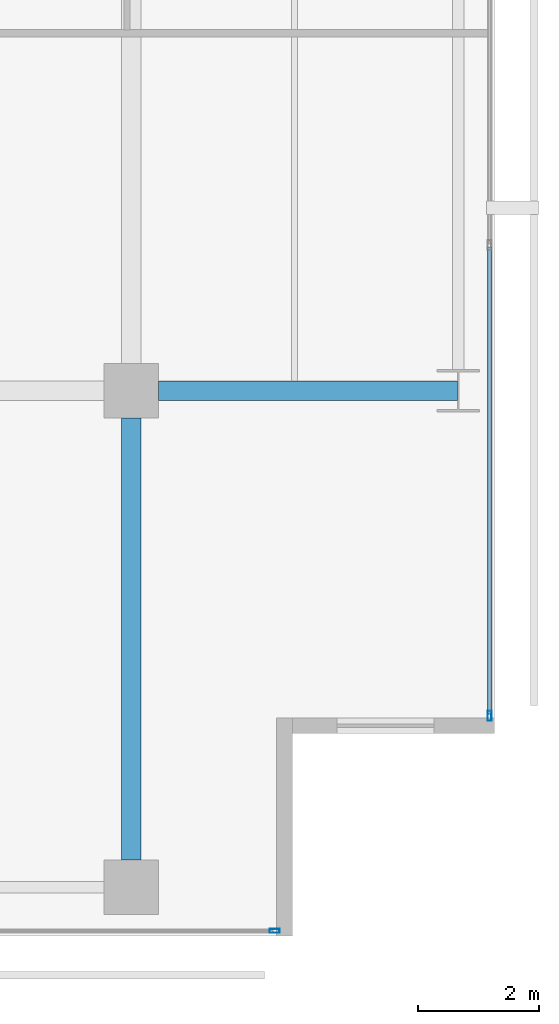
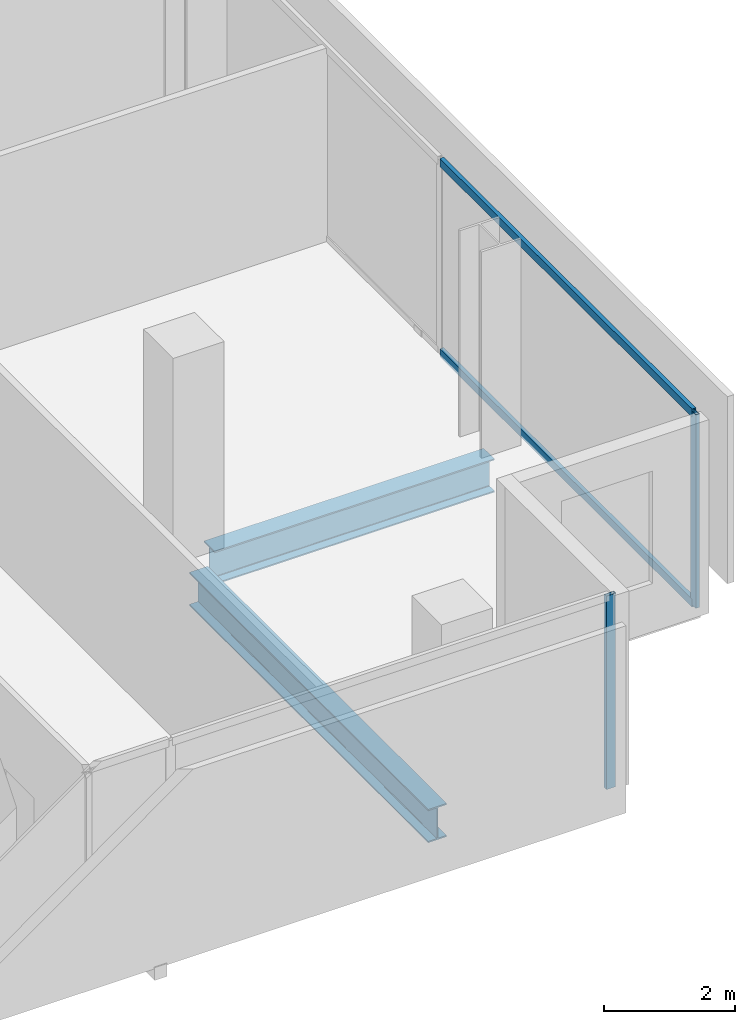
# One storey, part 16 of 40: 4 members, 2 beams, 2 elements without a shape of their own.
"""IFC4 building model written with IfcOpenShell, lengths in metres."""

import ifcopenshell
import ifcopenshell.guid

model = None  # the IFC model being written
_history = None  # IfcOwnerHistory: only IFC2X3 demands one
_inside = {}  # id of a spatial element -> (the spatial element, [elements in it])
_under = {}  # id of a project, library or spatial element -> (it, [spatial elements below it])
_declared = {}  # id of a project -> (the project, [libraries it declares])
_typed = {}  # id of a type object -> (the type object, [elements of that type])
_made_of = {}  # id of a material, layer set ... -> (it, [elements and type objects made of it])


def new_model(schema):
    """Start an empty IFC model of exactly this schema.

    Asked for "IFC4X3", IfcOpenShell would pick the latest addendum, in which some entities
    have other attributes; the version numbers below select the first issue.
    IFC2X3 requires an IfcOwnerHistory on every rooted entity: one is made here for all.
    """
    global model, _history
    if schema == "IFC4X3":
        model = ifcopenshell.file(schema_version=(4, 3, 0, 0))
    else:
        model = ifcopenshell.file(schema=schema)
    _inside.clear()
    _under.clear()
    _declared.clear()
    _typed.clear()
    _made_of.clear()
    _history = None
    if model.schema == "IFC2X3":
        org = make("IfcOrganization", Name="unknown")
        user = make(
            "IfcPersonAndOrganization",
            ThePerson=make("IfcPerson", FamilyName="unknown"),
            TheOrganization=org,
        )
        app = make(
            "IfcApplication",
            ApplicationDeveloper=org,
            Version="unknown",
            ApplicationFullName="unknown",
            ApplicationIdentifier="unknown",
        )
        _history = make(
            "IfcOwnerHistory",
            OwningUser=user,
            OwningApplication=app,
            ChangeAction="ADDED",
            CreationDate=0,
        )
    return model


def make(cls, **values):
    """One entity of the class cls with the attributes given. An attribute that is None is left unset."""
    return model.create_entity(
        cls, **{name: value for name, value in values.items() if value is not None}
    )


def rooted(cls, **values):
    """An entity with a GlobalId (a new one), such as an element, a storey or a relation."""
    return make(cls, GlobalId=ifcopenshell.guid.new(), OwnerHistory=_history, **values)


def si_unit(unit_type, name, prefix=None):
    """IfcSIUnit, for example si_unit("LENGTHUNIT", "METRE", prefix="MILLI")."""
    return make("IfcSIUnit", UnitType=unit_type, Prefix=prefix, Name=name)


def assignment(units):
    """IfcUnitAssignment: the units of a project."""
    return None if units is None else make("IfcUnitAssignment", Units=units)


def point(xyz):
    """IfcCartesianPoint."""
    return None if xyz is None else make("IfcCartesianPoint", Coordinates=xyz)


def direction(xyz):
    """IfcDirection."""
    return None if xyz is None else make("IfcDirection", DirectionRatios=xyz)


def frame(location, z_axis=None, x_axis=None):
    """IfcAxis2Placement3D, a coordinate frame: its origin and axes. An axis left out is left unset."""
    return make(
        "IfcAxis2Placement3D",
        Location=point(location),
        Axis=direction(z_axis),
        RefDirection=direction(x_axis),
    )


def frame_2d(location, x_axis=None):
    """IfcAxis2Placement2D, a coordinate frame in the plane: its origin and x axis."""
    return make(
        "IfcAxis2Placement2D", Location=point(location), RefDirection=direction(x_axis)
    )


def origin():
    """The frame at (0, 0, 0) with its axes left unset."""
    return frame((0.0, 0.0, 0.0))


def origin_2d():
    """The frame at (0, 0) in the plane with its x axis left unset."""
    return frame_2d((0.0, 0.0))


def place(relative_to, where):
    """IfcLocalPlacement: puts the frame where relative to a parent placement (None: the world)."""
    return make(
        "IfcLocalPlacement", PlacementRelTo=relative_to, RelativePlacement=where
    )


def context(
    kind, dimensions, precision=None, world=None, true_north=None, identifier=None
):
    """IfcGeometricRepresentationContext, for example the 3D "Model" context."""
    return make(
        "IfcGeometricRepresentationContext",
        ContextIdentifier=identifier,
        ContextType=kind,
        CoordinateSpaceDimension=dimensions,
        Precision=precision,
        WorldCoordinateSystem=world,
        TrueNorth=true_north,
    )


def subcontext(parent, identifier, kind, view, scale=None):
    """IfcGeometricRepresentationSubContext, for example "Body" below "Model"."""
    return make(
        "IfcGeometricRepresentationSubContext",
        ContextIdentifier=identifier,
        ContextType=kind,
        ParentContext=parent,
        TargetScale=scale,
        TargetView=view,
    )


def project(units=None, contexts=None):
    """IfcProject with its units and contexts."""
    return rooted(
        "IfcProject",
        Name="project",
        RepresentationContexts=contexts,
        UnitsInContext=assignment(units),
    )


def spatial(cls, under=None, at=None, **own):
    """A site, building, storey or space (cls), placed at a placement, below another one or the project."""
    s = rooted(cls, ObjectPlacement=at, **own)
    if under is not None:
        _under.setdefault(under.id(), (under, []))[1].append(s)
    return s


def profile(cls, at=None, kind="AREA", **sizes):
    """A parametric profile (cls). Its sizes go by their IFC names, for example OverallWidth=200.0."""
    return make(cls, ProfileType=kind, Position=at, **sizes)


def hollow_rectangle(**sizes):
    """IfcRectangleHollowProfileDef."""
    return profile("IfcRectangleHollowProfileDef", **sizes)


def i_section(**sizes):
    """IfcIShapeProfileDef."""
    return profile("IfcIShapeProfileDef", **sizes)


def extrude(swept, where, along, depth):
    """IfcExtrudedAreaSolid: the profile swept, set in the frame where, extruded along a direction by depth."""
    return make(
        "IfcExtrudedAreaSolid",
        SweptArea=swept,
        Position=where,
        ExtrudedDirection=direction(along),
        Depth=depth,
    )


def shape(context_of_items, identifier, shape_type, items):
    """IfcShapeRepresentation: the items that make up one representation, for example the "Body"."""
    return make(
        "IfcShapeRepresentation",
        ContextOfItems=context_of_items,
        RepresentationIdentifier=identifier,
        RepresentationType=shape_type,
        Items=items,
    )


def material(Name=None, Category=None):
    """IfcMaterial."""
    return make("IfcMaterial", Name=Name, Category=Category)


def layer(
    of_material, thickness, ventilated=None, Name=None, Category=None, Priority=None
):
    """IfcMaterialLayer: one layer of a wall or slab, of a material (None: an air gap)."""
    return make(
        "IfcMaterialLayer",
        Material=of_material,
        LayerThickness=thickness,
        IsVentilated=ventilated,
        Name=Name,
        Category=Category,
        Priority=Priority,
    )


def layer_set(layers, Name=None):
    """IfcMaterialLayerSet."""
    return make("IfcMaterialLayerSet", MaterialLayers=layers, LayerSetName=Name)


def material_profile(
    of_material, cross_section, Name=None, Category=None, Priority=None
):
    """IfcMaterialProfile: a cross section and its material."""
    return make(
        "IfcMaterialProfile",
        Name=Name,
        Material=of_material,
        Profile=cross_section,
        Priority=Priority,
        Category=Category,
    )


def profile_set(profiles, Name=None, composite=None):
    """IfcMaterialProfileSet."""
    return make(
        "IfcMaterialProfileSet",
        Name=Name,
        MaterialProfiles=profiles,
        CompositeProfile=composite,
    )


def made_of(thing, what):
    """Note that an element or type object is made of a material, layer set ...; save() writes the relation."""
    if what is not None:
        _made_of.setdefault(what.id(), (what, []))[1].append(thing)
    return thing


def type_object(cls, material=None, **own):
    """A type object (cls), such as IfcWallType, which elements share."""
    return made_of(rooted(cls, **own), material)


def element(
    cls,
    number,
    at=None,
    inside=None,
    cuts=None,
    type_object=None,
    material=None,
    context=None,
    identifier="Body",
    shape_type=None,
    held_by="IfcProductDefinitionShape",
    body=None,
    shapes=None,
    **own,
):
    """One element of the class cls, such as IfcWall. Its Tag is "e" and its number.

    at: its placement. inside: the storey or other place that contains it. cuts: it is an
    opening in that element (IfcRelVoidsElement). A single representation is given by context,
    identifier, shape_type and body (its items); several are given by shapes. held_by: the class
    of the entity that holds the representations. save() writes the other relations.
    """
    e = rooted(cls, Tag="e%d" % number, ObjectPlacement=at, **own)
    if body is not None:
        shapes = [shape(context, identifier, shape_type, body)]
    if shapes is not None:
        e.Representation = make(held_by, Representations=shapes)
    if inside is not None:
        _inside.setdefault(inside.id(), (inside, []))[1].append(e)
    if cuts is not None:
        rooted(
            "IfcRelVoidsElement", RelatingBuildingElement=cuts, RelatedOpeningElement=e
        )
    if type_object is not None:
        _typed.setdefault(type_object.id(), (type_object, []))[1].append(e)
    return made_of(e, material)


def aggregate(whole, parts):
    """IfcRelAggregates: a whole, such as a stair, and the parts it consists of."""
    return rooted("IfcRelAggregates", RelatingObject=whole, RelatedObjects=parts)


def save(model, path):
    """Write the relations noted so far, then the file.

    IfcRelAggregates (storeys below a building ...), IfcRelContainedInSpatialStructure (elements
    in a storey), IfcRelDefinesByType, IfcRelAssociatesMaterial and IfcRelDeclares: one each for
    every whole, place, type object, material and project.
    """
    for whole, parts in _under.values():
        aggregate(whole, parts)
    for where, things in _inside.values():
        rooted(
            "IfcRelContainedInSpatialStructure",
            RelatedElements=things,
            RelatingStructure=where,
        )
    for kind, things in _typed.values():
        rooted("IfcRelDefinesByType", RelatedObjects=things, RelatingType=kind)
    for what, things in _made_of.values():
        rooted("IfcRelAssociatesMaterial", RelatedObjects=things, RelatingMaterial=what)
    for by, libraries in _declared.values():
        rooted("IfcRelDeclares", RelatingContext=by, RelatedDefinitions=libraries)
    model.write(path)


model = new_model("IFC4")

# Units and contexts
model_context = context("Model", 3, precision=1e-05, world=origin(), true_north=direction((0.0, 1.0)))
body_context = subcontext(model_context, "Body", "Model", "MODEL_VIEW")
ifc_project = project(units=[si_unit("LENGTHUNIT", "METRE"), si_unit("AREAUNIT", "SQUARE_METRE"), si_unit("VOLUMEUNIT", "CUBIC_METRE"), si_unit("PLANEANGLEUNIT", "RADIAN"), si_unit("MASSUNIT", "GRAM", prefix="KILO")], contexts=[model_context])

# Site, building, storey
site_placement = place(None, origin())
site = spatial("IfcSite", under=ifc_project, at=site_placement, CompositionType="ELEMENT")
building_placement = place(site_placement, origin())
building = spatial("IfcBuilding", under=site, at=building_placement, Name="Maruvema Waterfront Hotel and Observation Tower", CompositionType="ELEMENT")
storey_placement = place(building_placement, frame((0.0, 0.0, 38.5)))
storey = spatial("IfcBuildingStorey", under=building, at=storey_placement, Name="L08", CompositionType="ELEMENT", Elevation=38.5)

# Curtain wall, members
ifc_material_1 = material(Name="Anodised bronze aluminium and solar-control low-E IGU", Category="aluminium")
ifc_layer = layer(ifc_material_1, 0.159912109375, Name="Zone 1 Bronze Inner Thermal Curtain Wall System CW-02")
ifc_layer_set = layer_set([ifc_layer], Name="Anodised bronze aluminium and solar-control low-E IGU")
curtain_wall_type = type_object("IfcCurtainWallType", Name="Zone 1 Bronze Inner Thermal Curtain Wall System CW-02", PredefinedType="USERDEFINED", material=ifc_layer_set)
curtain_wall_1_placement = place(storey_placement, origin())
curtain_wall_1 = element("IfcCurtainWall", 1, at=curtain_wall_1_placement, inside=storey, type_object=curtain_wall_type, Name="L08 Curtain Wall CW-L08-E", ObjectType="UNITISED CURTAIN WALL", PredefinedType="USERDEFINED")
ifc_material_2 = material(Name="Anodised architectural bronze aluminium", Category="aluminium")
ifc_material_profile_1 = material_profile(ifc_material_2, hollow_rectangle(XDim=0.070068359375, YDim=0.14990234375, WallThickness=0.00390625, at=origin_2d()), Name="ALU-T70x150")
ifc_profile_set_1 = profile_set([ifc_material_profile_1], Name="Anodised architectural bronze aluminium")
member_type_1 = type_object("IfcMemberType", Name="Curtain Wall Horizontal Transom ALU-T70x150", PredefinedType="USERDEFINED", material=ifc_profile_set_1)
member_1_placement = place(storey_placement, frame((64.719970703125, 3.659912109375, 0.030029296875), z_axis=(0.0, 1.0, 0.0), x_axis=(-1.0, 0.0, 0.0)))
member_1 = element("IfcMember", 2, at=member_1_placement, type_object=member_type_1, Name="CW-02 transom 1.1", ObjectType="TRANSOM", PredefinedType="USERDEFINED", context=body_context, shape_type="SweptSolid", body=[
    extrude(hollow_rectangle(XDim=0.070068359375, YDim=0.14990234375, WallThickness=0.00390625, at=origin_2d()), origin(), (0.0, 0.0, 1.0), 7.710205078125),
])
member_2_placement = place(storey_placement, frame((64.719970703125, 3.659912109375, 3.580078125), z_axis=(0.0, 1.0, 0.0), x_axis=(-1.0, 0.0, 0.0)))
member_2 = element("IfcMember", 3, at=member_2_placement, type_object=member_type_1, Name="CW-02 transom 1.2", ObjectType="TRANSOM", PredefinedType="USERDEFINED", context=body_context, shape_type="SweptSolid", body=[
    extrude(hollow_rectangle(XDim=0.070068359375, YDim=0.14990234375, WallThickness=0.00390625, at=origin_2d()), origin(), (0.0, 0.0, 1.0), 7.710205078125),
])

# Curtain wall, member
curtain_wall_2_placement = place(storey_placement, origin())
curtain_wall_2 = element("IfcCurtainWall", 4, at=curtain_wall_2_placement, inside=storey, type_object=curtain_wall_type, Name="L08 Curtain Wall CW-L08-S", ObjectType="UNITISED CURTAIN WALL", PredefinedType="USERDEFINED")
ifc_material_3 = material(Name="Anodised architectural bronze aluminium", Category="aluminium")
ifc_material_profile_2 = material_profile(ifc_material_3, hollow_rectangle(XDim=0.06494140625, YDim=0.1650390625, WallThickness=0.00390625, at=origin_2d()), Name="ALU-M65x165")
ifc_profile_set_2 = profile_set([ifc_material_profile_2], Name="Anodised architectural bronze aluminium")
member_type_2 = type_object("IfcMemberType", Name="Curtain Wall Primary Mullion ALU-M65x165", PredefinedType="MULLION", material=ifc_profile_set_2)
member_3_placement = place(storey_placement, frame((61.169921875, 0.080078125, 0.0), z_axis=(0.0, 0.0, 1.0), x_axis=(0.0, 1.0, 0.0)))
member_3 = element("IfcMember", 5, at=member_3_placement, type_object=member_type_2, Name="CW-02 mullion 7", PredefinedType="MULLION", context=body_context, shape_type="SweptSolid", body=[
    extrude(hollow_rectangle(XDim=0.06494140625, YDim=0.1650390625, WallThickness=0.00390625, at=origin_2d()), origin(), (0.0, 0.0, 1.0), 3.610107421875),
])
aggregate(curtain_wall_2, [member_3])

# Member
member_4_placement = place(storey_placement, frame((64.719970703125, 3.6298828125, 0.0), z_axis=(0.0, 0.0, 1.0), x_axis=(-1.0, 0.0, 0.0)))
member_4 = element("IfcMember", 6, at=member_4_placement, type_object=member_type_2, Name="CW-02 mullion 1", PredefinedType="MULLION", context=body_context, shape_type="SweptSolid", body=[
    extrude(hollow_rectangle(XDim=0.06494140625, YDim=0.1650390625, WallThickness=0.00390625, at=origin_2d()), origin(), (0.0, 0.0, 1.0), 3.610107421875),
])

aggregate(curtain_wall_1, [member_4, member_1, member_2])

# Beams
ifc_material_4 = material(Name="Steel ASTM A572 Grade 50", Category="steel")
ifc_material_profile_3 = material_profile(ifc_material_4, i_section(OverallWidth=0.326904296875, OverallDepth=0.6220703125, WebThickness=0.015380859375, FlangeThickness=0.0244140625, FilletRadius=0.01806640625, at=origin_2d()), Name="W610x195.0")
ifc_profile_set_3 = profile_set([ifc_material_profile_3], Name="Steel ASTM A572 Grade 50")
beam_type = type_object("IfcBeamType", Name="Primary Floor Girder W610x195.0", PredefinedType="BEAM", material=ifc_profile_set_3)
beam_1_placement = place(storey_placement, frame((59.25, 9.0, -0.551025390625), z_axis=(1.0, 0.0, 0.0), x_axis=(0.0, 1.0, 0.0)))
element("IfcBeam", 7, at=beam_1_placement, inside=storey, type_object=beam_type, Name="L08 Floor Girder EW-12", PredefinedType="BEAM", context=body_context, shape_type="SweptSolid", body=[
    extrude(i_section(OverallWidth=0.326904296875, OverallDepth=0.6220703125, WebThickness=0.015380859375, FlangeThickness=0.0244140625, FilletRadius=0.01806640625, at=origin_2d()), origin(), (0.0, 0.0, 1.0), 4.93603515625),
])
beam_2_placement = place(storey_placement, frame((58.800048828125, 1.25, -0.551025390625), z_axis=(0.0, 1.0, 0.0), x_axis=(-1.0, 0.0, 0.0)))
element("IfcBeam", 8, at=beam_2_placement, inside=storey, type_object=beam_type, Name="L08 Floor Girder NS-27", PredefinedType="BEAM", context=body_context, shape_type="SweptSolid", body=[
    extrude(i_section(OverallWidth=0.326904296875, OverallDepth=0.6220703125, WebThickness=0.015380859375, FlangeThickness=0.0244140625, FilletRadius=0.01806640625, at=origin_2d()), origin(), (0.0, 0.0, 1.0), 7.300048828125),
])

save(model, "model.ifc")
